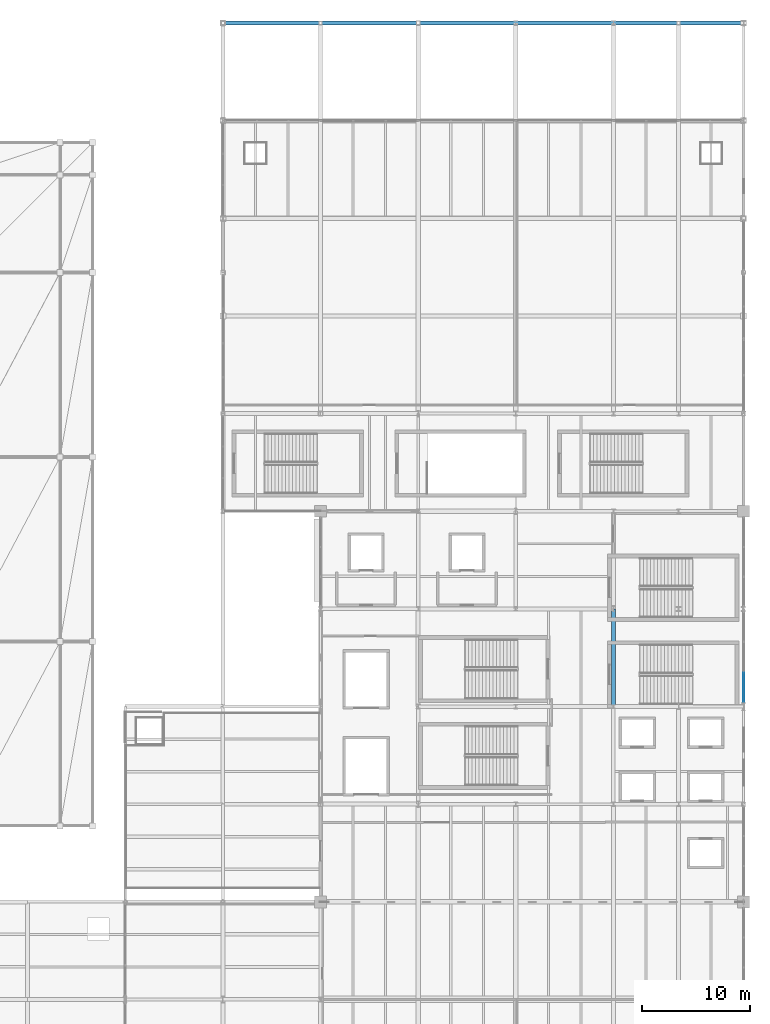
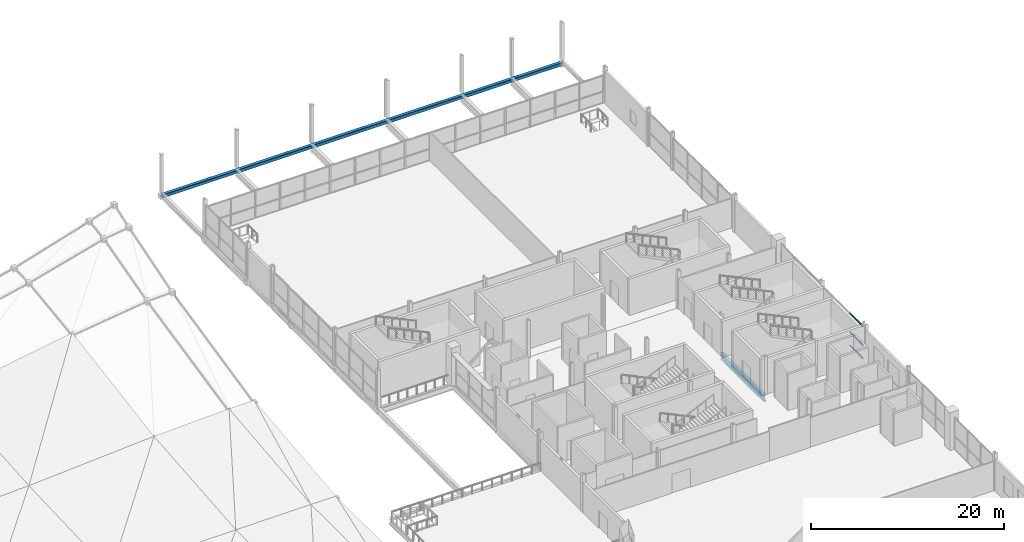
# One storey, part 35 of 69: 3 members, 2 beams, 1 element without a shape of its own.
"""IFC4 building model written with IfcOpenShell, lengths in metres."""

from ifc_helpers import new_model, si_unit, direction, frame, origin, origin_2d, place, context, subcontext, project, spatial, rectangle, hollow_rectangle, i_section, extrude, material, layer, layer_set, material_profile, profile_set, type_object, element, aggregate, save


model = new_model("IFC4")

# Units and contexts
model_context = context("Model", 3, precision=1e-05, world=origin(), true_north=direction((0.0, 1.0)))
body_context = subcontext(model_context, "Body", "Model", "MODEL_VIEW")
ifc_project = project(units=[si_unit("LENGTHUNIT", "METRE"), si_unit("AREAUNIT", "SQUARE_METRE"), si_unit("VOLUMEUNIT", "CUBIC_METRE"), si_unit("PLANEANGLEUNIT", "RADIAN"), si_unit("MASSUNIT", "GRAM", prefix="KILO")], contexts=[model_context])

# Site, building, storey
site_placement = place(None, origin())
site = spatial("IfcSite", under=ifc_project, at=site_placement, CompositionType="ELEMENT")
building_placement = place(site_placement, origin())
building = spatial("IfcBuilding", under=site, at=building_placement, Name="Qamarlyn Nura Convention Centre", CompositionType="ELEMENT")
storey_placement = place(building_placement, frame((0.0, 0.0, 15.60009765625)))
storey = spatial("IfcBuildingStorey", under=building, at=storey_placement, Name="L03", CompositionType="ELEMENT", Elevation=15.60009765625)

# Beams
ifc_material_1 = material(Name="Steel ASTM A992", Category="steel")
ifc_material_profile_1 = material_profile(ifc_material_1, i_section(OverallWidth=0.381103515625, OverallDepth=0.77294921875, WebThickness=0.0166015625, FlangeThickness=0.027587890625, FilletRadius=0.02001953125, at=origin_2d()), Name="W760X257")
ifc_profile_set_1 = profile_set([ifc_material_profile_1], Name="Steel ASTM A992")
beam_type_1 = type_object("IfcBeamType", Name="BM-GIRD-760", PredefinedType="BEAM", material=ifc_profile_set_1)
beam_1_placement = place(storey_placement, frame((180.0, 63.0, -0.586669921875), z_axis=(0.0, 1.0, 0.0), x_axis=(-1.0, 0.0, 0.0)))
element("IfcBeam", 1, at=beam_1_placement, inside=storey, type_object=beam_type_1, Name="L03 girder 16 H-J", PredefinedType="BEAM", context=body_context, shape_type="SweptSolid", body=[
    extrude(i_section(OverallWidth=0.381103515625, OverallDepth=0.77294921875, WebThickness=0.0166015625, FlangeThickness=0.027587890625, FilletRadius=0.02001953125, at=origin_2d()), origin(), (0.0, 0.0, 1.0), 9.0),
])
ifc_material_2 = material(Name="Steel ASTM A500 Grade C", Category="steel")
ifc_material_profile_2 = material_profile(ifc_material_2, hollow_rectangle(XDim=0.39990234375, YDim=0.39990234375, WallThickness=0.01611328125, InnerFilletRadius=0.01611328125, OuterFilletRadius=0.031982421875, at=origin_2d()), Name="HSS400X400X16")
ifc_profile_set_2 = profile_set([ifc_material_profile_2], Name="Steel ASTM A500 Grade C")
beam_type_2 = type_object("IfcBeamType", Name="BM-PLEN-TC", PredefinedType="BEAM", material=ifc_profile_set_2)
beam_2_placement = place(storey_placement, frame((144.0, 126.0, -0.5), z_axis=(1.0, 0.0, 0.0), x_axis=(0.0, 1.0, 0.0)))
element("IfcBeam", 2, at=beam_2_placement, inside=storey, type_object=beam_type_2, Name="ROOF TRUSS Plenary chord Y126", PredefinedType="BEAM", context=body_context, shape_type="SweptSolid", body=[
    extrude(hollow_rectangle(XDim=0.39990234375, YDim=0.39990234375, WallThickness=0.01611328125, InnerFilletRadius=0.01611328125, OuterFilletRadius=0.031982421875, at=origin_2d()), origin(), (0.0, 0.0, 1.0), 48.0),
])

# Curtain wall, members
ifc_material_3 = material(Name="Double-silver low-E insulated glass", Category="glass")
ifc_layer = layer(ifc_material_3, 0.179931640625, Name="CW-UNIT-114")
ifc_layer_set = layer_set([ifc_layer], Name="Double-silver low-E insulated glass")
curtain_wall_type = type_object("IfcCurtainWallType", Name="CW-UNIT-114", PredefinedType="NOTDEFINED", material=ifc_layer_set)
curtain_wall_placement = place(storey_placement, origin())
curtain_wall = element("IfcCurtainWall", 3, at=curtain_wall_placement, inside=storey, type_object=curtain_wall_type, Name="L03 unitised curtain wall EAST-8-1", PredefinedType="NOTDEFINED")
ifc_material_4 = material(Name="Champagne-anodised marine aluminium", Category="aluminium")
ifc_material_profile_3 = material_profile(ifc_material_4, rectangle(XDim=0.070068359375, YDim=0.139892578125, at=origin_2d()), Name="ALU TRANSOM 70x140")
ifc_profile_set_3 = profile_set([ifc_material_profile_3], Name="Champagne-anodised marine aluminium")
member_type = type_object("IfcMemberType", Name="CWT-140", PredefinedType="USERDEFINED", material=ifc_profile_set_3)
member_1_placement = place(storey_placement, frame((192.0, 66.125732421875, 0.034912109375), z_axis=(0.0, -1.0, 0.0), x_axis=(1.0, 0.0, 0.0)))
member_1 = element("IfcMember", 4, at=member_1_placement, type_object=member_type, Name="CW114 transom 3.1", ObjectType="TRANSOM", PredefinedType="USERDEFINED", context=body_context, shape_type="SweptSolid", body=[
    extrude(rectangle(XDim=0.070068359375, YDim=0.139892578125, at=origin_2d()), origin(), (0.0, 0.0, 1.0), 2.708251953125),
])
member_2_placement = place(storey_placement, frame((192.0, 66.125732421875, 1.72998046875), z_axis=(0.0, -1.0, 0.0), x_axis=(1.0, 0.0, 0.0)))
member_2 = element("IfcMember", 5, at=member_2_placement, type_object=member_type, Name="CW114 transom 3.2", ObjectType="TRANSOM", PredefinedType="USERDEFINED", context=body_context, shape_type="SweptSolid", body=[
    extrude(rectangle(XDim=0.070068359375, YDim=0.139892578125, at=origin_2d()), origin(), (0.0, 0.0, 1.0), 2.708251953125),
])
member_3_placement = place(storey_placement, frame((192.0, 66.125732421875, 4.083984375), z_axis=(0.0, -1.0, 0.0), x_axis=(1.0, 0.0, 0.0)))
member_3 = element("IfcMember", 6, at=member_3_placement, type_object=member_type, Name="CW114 transom 3.3", ObjectType="TRANSOM", PredefinedType="USERDEFINED", context=body_context, shape_type="SweptSolid", body=[
    extrude(rectangle(XDim=0.070068359375, YDim=0.139892578125, at=origin_2d()), origin(), (0.0, 0.0, 1.0), 2.708251953125),
])
aggregate(curtain_wall, [member_1, member_2, member_3])

save(model, "model.ifc")
